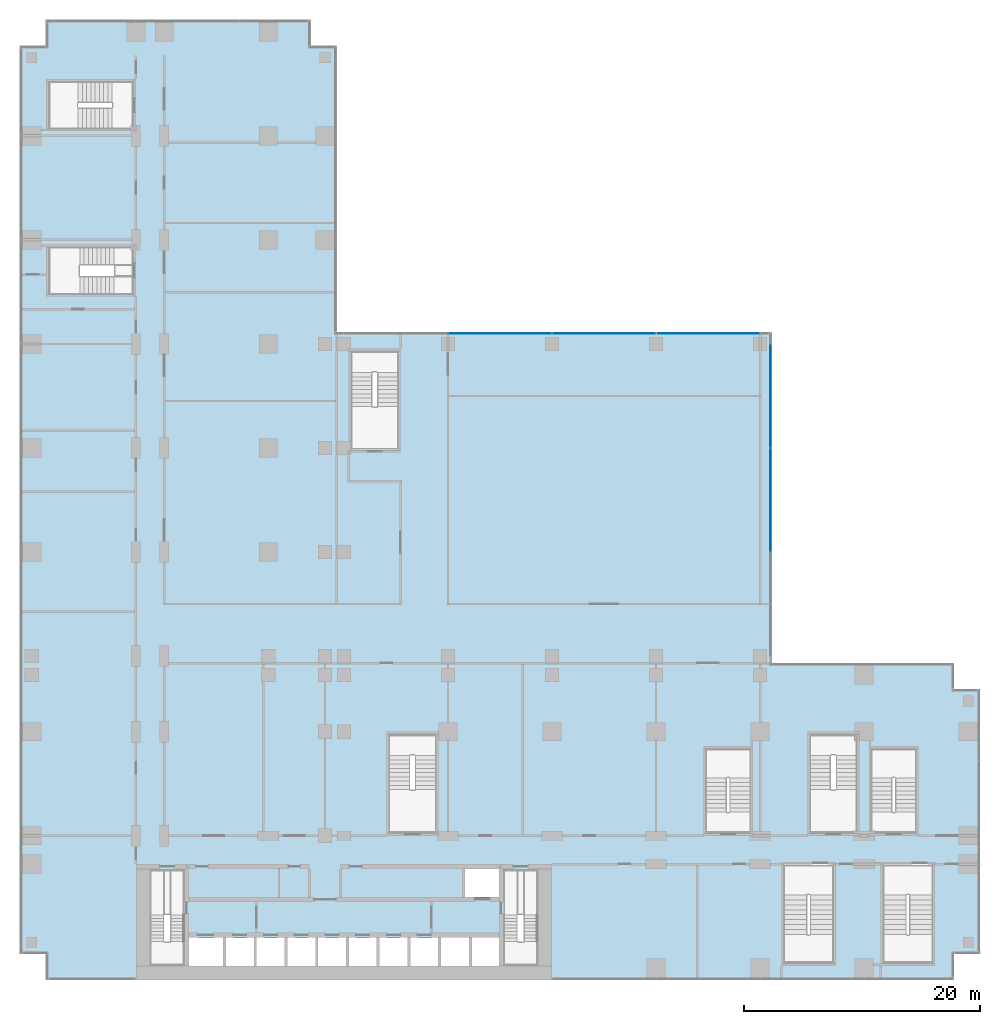
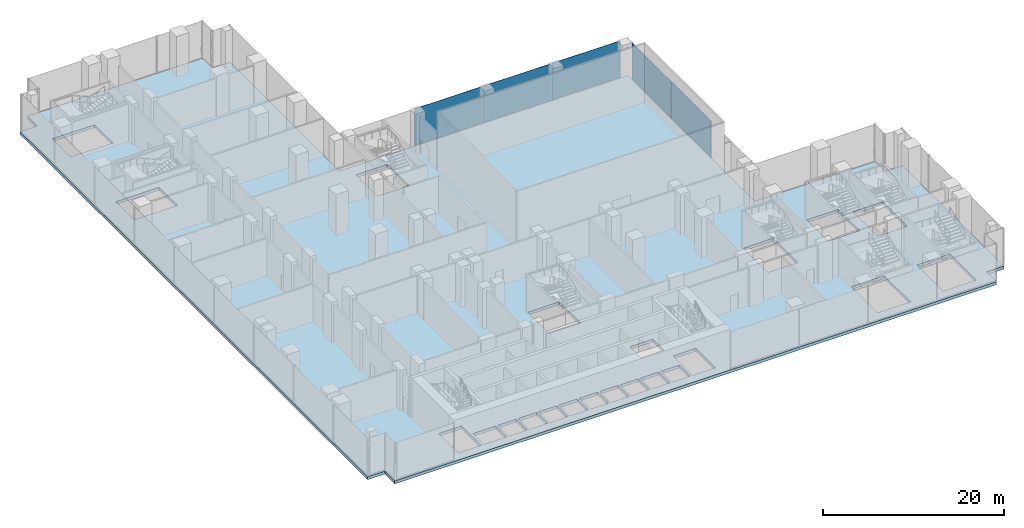
# One storey, part 15 of 30: 5 plates, 1 slab, 2 elements without a shape of their own.
"""IFC4 building model written with IfcOpenShell, lengths in metres."""

from ifc_helpers import new_model, si_unit, direction, frame, origin, origin_2d, place, context, subcontext, project, spatial, polyline, rectangle, outline, extrude, source, transform, mapped, material, layer, layer_set, type_object, element, aggregate, save


model = new_model("IFC4")

# Units and contexts
model_context = context("Model", 3, precision=1e-05, world=origin(), true_north=direction((0.0, 1.0)))
body_context = subcontext(model_context, "Body", "Model", "MODEL_VIEW")
ifc_project = project(units=[si_unit("LENGTHUNIT", "METRE"), si_unit("AREAUNIT", "SQUARE_METRE"), si_unit("VOLUMEUNIT", "CUBIC_METRE"), si_unit("PLANEANGLEUNIT", "RADIAN"), si_unit("MASSUNIT", "GRAM", prefix="KILO")], contexts=[model_context])

# Site, building, storey
site_placement = place(None, origin())
site = spatial("IfcSite", under=ifc_project, at=site_placement, CompositionType="ELEMENT")
building_placement = place(site_placement, origin())
building = spatial("IfcBuilding", under=site, at=building_placement, Name="Kemantara Hotel Tower", CompositionType="ELEMENT")
storey_placement = place(building_placement, frame((0.0, 0.0, 18.0)))
storey = spatial("IfcBuildingStorey", under=building, at=storey_placement, Name="L03", CompositionType="ELEMENT", Elevation=18.0)

# Slab
ifc_material_1 = material(Name="Concrete fc 40 MPa", Category="concrete")
ifc_layer_1 = layer(ifc_material_1, 0.39990234375)
ifc_layer_set_1 = layer_set([ifc_layer_1], Name="Concrete fc 40 MPa")
slab_type = type_object("IfcSlabType", Name="REINFORCED DECK SLAB 400", PredefinedType="FLOOR", material=ifc_layer_set_1)
slab_placement = place(storey_placement, frame((0.0, 0.0, -0.39990234375)))
element("IfcSlab", 1, at=slab_placement, inside=storey, type_object=slab_type, Name="FLOOR SLAB L03", PredefinedType="FLOOR", context=body_context, shape_type="SweptSolid", body=[
    extrude(outline(polyline([(0.0, 2.199951171875), (2.199951171875, 2.199951171875), (2.199951171875, 0.0), (79.0, 0.0), (79.0, 2.199951171875), (81.199951171875, 2.199951171875), (81.199951171875, 24.60009765625), (79.0, 24.60009765625), (79.0, 26.800048828125), (63.60009765625, 26.800048828125), (63.60009765625, 54.800048828125), (26.800048828125, 54.800048828125), (26.800048828125, 79.0), (24.60009765625, 79.0), (24.60009765625, 81.199951171875), (2.199951171875, 81.199951171875), (2.199951171875, 79.0), (0.0, 79.0), (0.0, 2.199951171875)]), holes=[polyline([(17.175048828125, 1.199951171875), (14.22509765625, 1.199951171875), (14.22509765625, 3.60009765625), (17.175048828125, 3.60009765625), (17.175048828125, 1.199951171875)]), polyline([(19.77490234375, 1.199951171875), (17.425048828125, 1.199951171875), (17.425048828125, 3.60009765625), (19.77490234375, 3.60009765625), (19.77490234375, 1.199951171875)]), polyline([(22.375, 1.199951171875), (20.02490234375, 1.199951171875), (20.02490234375, 3.60009765625), (22.375, 3.60009765625), (22.375, 1.199951171875)]), polyline([(22.625, 1.199951171875), (22.625, 3.60009765625), (24.97509765625, 3.60009765625), (24.97509765625, 1.199951171875), (22.625, 1.199951171875)]), polyline([(25.22509765625, 1.199951171875), (25.22509765625, 3.60009765625), (27.574951171875, 3.60009765625), (27.574951171875, 1.199951171875), (25.22509765625, 1.199951171875)]), polyline([(30.175048828125, 1.199951171875), (27.824951171875, 1.199951171875), (27.824951171875, 3.60009765625), (30.175048828125, 3.60009765625), (30.175048828125, 1.199951171875)]), polyline([(30.425048828125, 1.199951171875), (30.425048828125, 3.60009765625), (32.77490234375, 3.60009765625), (32.77490234375, 1.199951171875), (30.425048828125, 1.199951171875)]), polyline([(11.0, 5.49951171875), (13.89990234375, 5.49951171875), (13.89990234375, 1.199951171875), (11.0, 1.199951171875), (11.0, 5.49951171875)]), polyline([(32.0, 53.199951171875), (32.0, 48.50048828125), (28.0, 48.50048828125), (28.0, 53.199951171875), (32.0, 53.199951171875)]), polyline([(7.949462890625, 62.0), (7.949462890625, 58.0), (2.39990234375, 58.0), (2.39990234375, 62.0), (7.949462890625, 62.0)]), polyline([(7.79931640625, 76.0), (7.79931640625, 72.0), (2.39990234375, 72.0), (2.39990234375, 76.0), (7.79931640625, 76.0)]), polyline([(35.375, 1.199951171875), (33.02490234375, 1.199951171875), (33.02490234375, 3.60009765625), (35.375, 3.60009765625), (35.375, 1.199951171875)]), polyline([(37.97509765625, 1.199951171875), (35.625, 1.199951171875), (35.625, 3.60009765625), (37.97509765625, 3.60009765625), (37.97509765625, 1.199951171875)]), polyline([(40.574951171875, 1.199951171875), (38.22509765625, 1.199951171875), (38.22509765625, 3.60009765625), (40.574951171875, 3.60009765625), (40.574951171875, 1.199951171875)]), polyline([(40.89990234375, 5.49951171875), (43.800048828125, 5.49951171875), (43.800048828125, 1.199951171875), (40.89990234375, 1.199951171875), (40.89990234375, 5.49951171875)]), polyline([(64.60009765625, 7.199462890625), (68.800048828125, 7.199462890625), (68.800048828125, 1.39990234375), (64.60009765625, 1.39990234375), (64.60009765625, 7.199462890625)]), polyline([(73.0, 1.39990234375), (73.0, 7.199462890625), (77.199951171875, 7.199462890625), (77.199951171875, 1.39990234375), (73.0, 1.39990234375)]), polyline([(37.625, 7.0), (37.625, 9.39990234375), (40.574951171875, 9.39990234375), (40.574951171875, 7.0), (37.625, 7.0)]), polyline([(61.800048828125, 14.20068359375), (58.0, 14.20068359375), (58.0, 19.60009765625), (61.800048828125, 19.60009765625), (61.800048828125, 14.20068359375)]), polyline([(75.800048828125, 19.60009765625), (75.800048828125, 14.20068359375), (72.0, 14.20068359375), (72.0, 19.60009765625), (75.800048828125, 19.60009765625)]), polyline([(35.199951171875, 16.1005859375), (31.199951171875, 16.1005859375), (31.199951171875, 20.800048828125), (35.199951171875, 20.800048828125), (35.199951171875, 16.1005859375)]), polyline([(70.800048828125, 16.1005859375), (66.800048828125, 16.1005859375), (66.800048828125, 20.800048828125), (70.800048828125, 20.800048828125), (70.800048828125, 16.1005859375)])]), origin(), (0.0, 0.0, 1.0), 0.39990234375),
])

# Curtain wall, plates
ifc_material_2 = material(Name="Laminated tinted insulated glass 44 mm", Category="glass")
curtain_wall_type = type_object("IfcCurtainWallType", Name="PODIUM GLASS CURTAIN WALL", PredefinedType="USERDEFINED", material=ifc_material_2)
curtain_wall_1_placement = place(storey_placement, origin())
curtain_wall_1 = element("IfcCurtainWall", 2, at=curtain_wall_1_placement, inside=storey, type_object=curtain_wall_type, Name="CW1 L03 POD-R08-1", ObjectType="PODIUM GLASS CURTAIN WALL", PredefinedType="USERDEFINED")
ifc_layer_2 = layer(ifc_material_2, 0.0439453125)
ifc_layer_set_2 = layer_set([ifc_layer_2], Name="Laminated tinted insulated glass 44 mm")
plate_type = type_object("IfcPlateType", Name="PODIUM GLASS CURTAIN WALL PANEL", PredefinedType="CURTAIN_PANEL", material=ifc_layer_set_2)
shared_shape = source(origin(), body_context, "Body", "SweptSolid", [
    extrude(rectangle(XDim=8.72509765625, YDim=0.0439453125, at=origin_2d()), origin(), (0.0, 0.0, 1.0), 4.949951171875),
])
plate_1_placement = place(storey_placement, frame((63.5, 40.60009765625, 0.14990234375), z_axis=(0.0, 0.0, 1.0), x_axis=(0.0, 1.0, 0.0)))
plate_1 = element("IfcPlate", 3, at=plate_1_placement, type_object=plate_type, Name="CW1 glass panel POD-R08-1.3", PredefinedType="CURTAIN_PANEL", context=body_context, shape_type="MappedRepresentation", body=[
    mapped(shared_shape, transform((0.0, 0.0, 0.0))),
])
plate_2_placement = place(storey_placement, frame((63.5, 49.39990234375, 0.14990234375), z_axis=(0.0, 0.0, 1.0), x_axis=(0.0, 1.0, 0.0)))
plate_2 = element("IfcPlate", 4, at=plate_2_placement, type_object=plate_type, Name="CW1 glass panel POD-R08-1.4", PredefinedType="CURTAIN_PANEL", context=body_context, shape_type="MappedRepresentation", body=[
    mapped(shared_shape, transform((0.0, 0.0, 0.0))),
])
aggregate(curtain_wall_1, [plate_1, plate_2])

curtain_wall_2_placement = place(storey_placement, origin())
curtain_wall_2 = element("IfcCurtainWall", 5, at=curtain_wall_2_placement, inside=storey, type_object=curtain_wall_type, Name="CW1 L03 POD-R09-1", ObjectType="PODIUM GLASS CURTAIN WALL", PredefinedType="USERDEFINED")
plate_3_placement = place(storey_placement, frame((58.199951171875, 54.699951171875, 0.14990234375), z_axis=(0.0, 0.0, 1.0), x_axis=(-1.0, 0.0, 0.0)))
plate_3 = element("IfcPlate", 6, at=plate_3_placement, type_object=plate_type, Name="CW1 glass panel POD-R09-1.2", PredefinedType="CURTAIN_PANEL", context=body_context, shape_type="MappedRepresentation", body=[
    mapped(shared_shape, transform((0.0, 0.0, 0.0))),
])
plate_4_placement = place(storey_placement, frame((49.39990234375, 54.699951171875, 0.14990234375), z_axis=(0.0, 0.0, 1.0), x_axis=(-1.0, 0.0, 0.0)))
plate_4 = element("IfcPlate", 7, at=plate_4_placement, type_object=plate_type, Name="CW1 glass panel POD-R09-1.3", PredefinedType="CURTAIN_PANEL", context=body_context, shape_type="MappedRepresentation", body=[
    mapped(shared_shape, transform((0.0, 0.0, 0.0))),
])
plate_5_placement = place(storey_placement, frame((40.60009765625, 54.699951171875, 0.14990234375), z_axis=(0.0, 0.0, 1.0), x_axis=(-1.0, 0.0, 0.0)))
plate_5 = element("IfcPlate", 8, at=plate_5_placement, type_object=plate_type, Name="CW1 glass panel POD-R09-1.4", PredefinedType="CURTAIN_PANEL", context=body_context, shape_type="MappedRepresentation", body=[
    mapped(shared_shape, transform((0.0, 0.0, 0.0))),
])
aggregate(curtain_wall_2, [plate_3, plate_4, plate_5])

save(model, "model.ifc")
